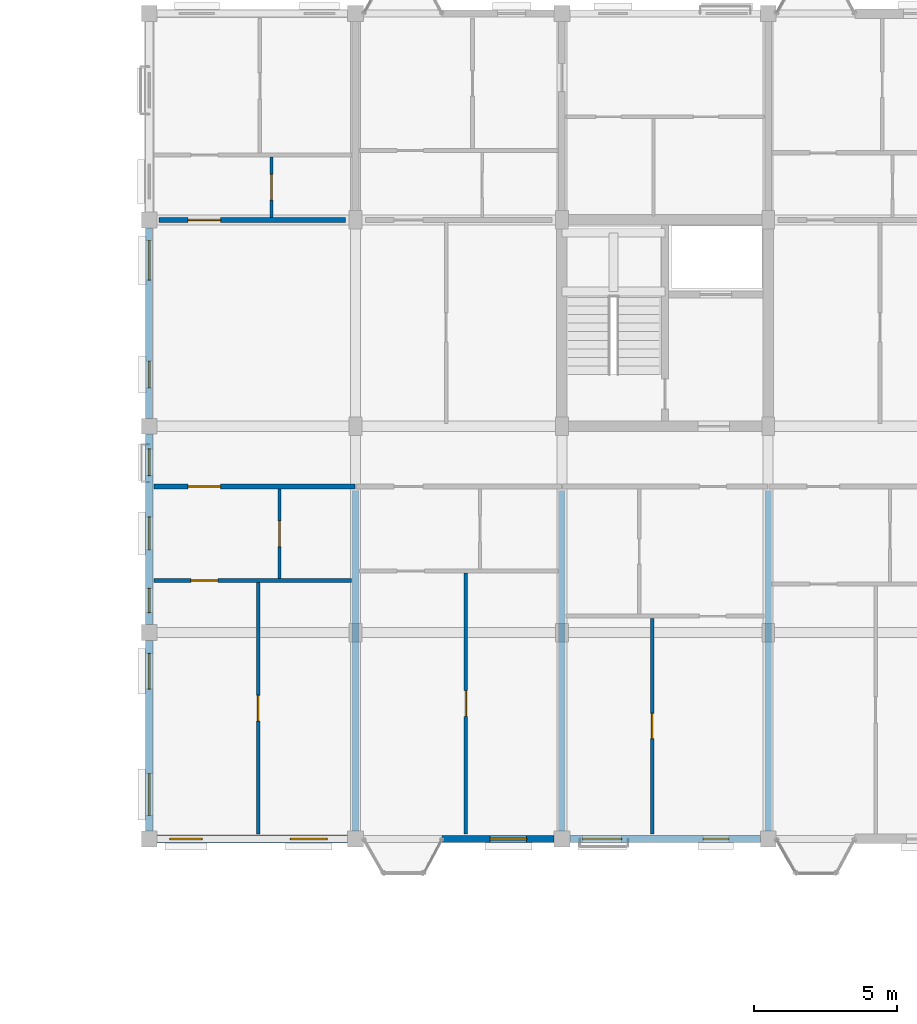
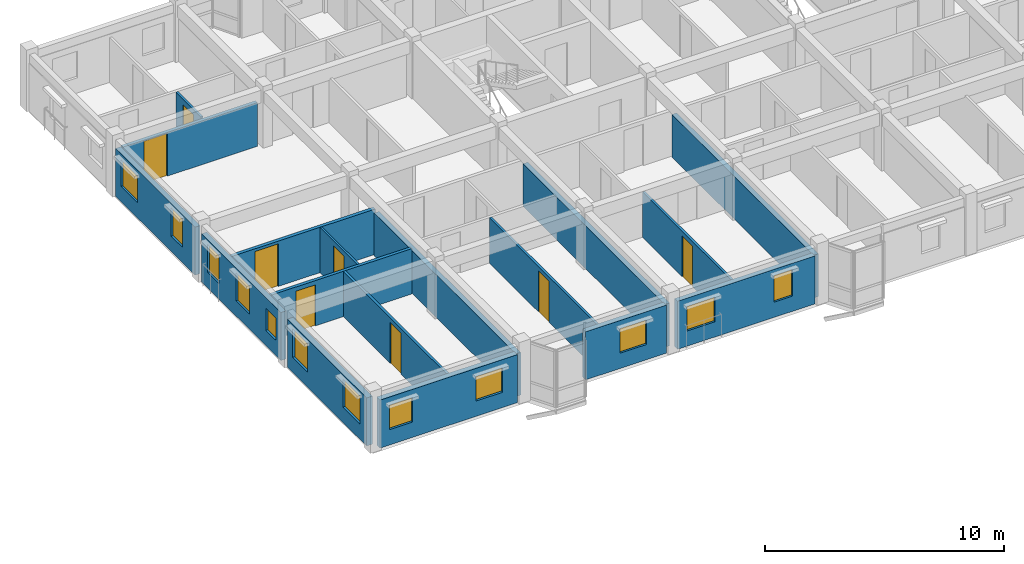
# One storey, part 65 of 79: 17 walls, 12 windows, 8 doors, 20 openings.
"""IFC4 building model written with IfcOpenShell, lengths in metres."""

from ifc_helpers import new_model, si_unit, direction, frame, frame_2d, origin, place, context, subcontext, project, spatial, rectangle, extrude, material, layer, layer_set, type_object, element, fill, save


model = new_model("IFC4")

# Units and contexts
model_context = context("Model", 3, precision=1e-05, world=origin(), true_north=direction((0.0, 1.0)))
body_context = subcontext(model_context, "Body", "Model", "MODEL_VIEW")
ifc_project = project(units=[si_unit("LENGTHUNIT", "METRE"), si_unit("AREAUNIT", "SQUARE_METRE"), si_unit("VOLUMEUNIT", "CUBIC_METRE"), si_unit("PLANEANGLEUNIT", "RADIAN"), si_unit("MASSUNIT", "GRAM", prefix="KILO"), si_unit("THERMODYNAMICTEMPERATUREUNIT", "KELVIN"), si_unit("POWERUNIT", "WATT")], contexts=[model_context])

# Site, building, storey
site_placement = place(None, origin())
site = spatial("IfcSite", under=ifc_project, at=site_placement, CompositionType="ELEMENT")
building_placement = place(site_placement, origin())
building = spatial("IfcBuilding", under=site, at=building_placement, Name="Tavuni Mirador Residences", CompositionType="ELEMENT")
storey_placement = place(building_placement, frame((0.0, 0.0, 13.949951171875)))
storey = spatial("IfcBuildingStorey", under=building, at=storey_placement, Name="L04", CompositionType="ELEMENT", Elevation=13.949951171875)

# Wall, opening, door
ifc_material_1 = material(Name="Precast concrete C40/50", Category="concrete")
ifc_layer_1 = layer(ifc_material_1, 0.1650390625, Name="Precast concrete C40/50", Category="concrete")
ifc_layer_set_1 = layer_set([ifc_layer_1], Name="Precast concrete C40/50")
wall_type_1 = type_object("IfcWallType", Name="WT-CORR165", PredefinedType="PARTITIONING", material=ifc_layer_set_1)
wall_1_placement = place(storey_placement, frame((10.97509765625, 156.300048828125, 0.0), z_axis=(0.0, 0.0, 1.0), x_axis=(1.0, 0.0, 0.0)))
wall_1 = element("IfcWall", 1, at=wall_1_placement, inside=storey, type_object=wall_type_1, Name="CORW-BLK-C-L04-0-00", PredefinedType="PARTITIONING", context=body_context, shape_type="SweptSolid", body=[
    extrude(rectangle(XDim=7.0048828125, YDim=0.1650390625, at=frame_2d((3.50244140625, 0.0))), origin(), (0.0, 0.0, 1.0), 2.320068359375),
])
opening_1_placement = place(wall_1_placement, frame((1.175048828125, 0.0, 0.0)))
opening_1 = element("IfcOpeningElement", 2, at=opening_1_placement, cuts=wall_1, Name="Opening D-20", PredefinedType="OPENING", context=body_context, shape_type="SweptSolid", body=[
    extrude(rectangle(XDim=1.139892578125, YDim=2.179931640625, at=frame_2d((0.56982421875, 1.08984375))), frame((0.0, 0.092529296875, 0.0), z_axis=(0.0, -1.0, 0.0), x_axis=(1.0, 0.0, 0.0)), (0.0, 0.0, 1.0), 0.18505859375),
])
ifc_material_2 = material(Name="Solid core iroko timber", Category="wood")
door_type_1 = type_object("IfcDoorType", Name="DT-FD60-1140", OperationType="NOTDEFINED", PredefinedType="DOOR", material=ifc_material_2)
door_1_placement = place(opening_1_placement, origin())
door_1 = element("IfcDoor", 3, at=door_1_placement, inside=storey, type_object=door_type_1, Name="DR-2675", OperationType="SINGLE_SWING_RIGHT", OverallHeight=2.179931640625, OverallWidth=1.139892578125, PredefinedType="DOOR", context=body_context, shape_type="SweptSolid", body=[
    extrude(rectangle(XDim=1.139892578125, YDim=2.179931640625, at=frame_2d((0.56982421875, 1.08984375))), frame((0.0, 0.02490234375, 0.0), z_axis=(0.0, -1.0, 0.0), x_axis=(1.0, 0.0, 0.0)), (0.0, 0.0, 1.0), 0.050048828125),
])
fill(opening_1, door_1)

wall_2_placement = place(storey_placement, frame((11.14990234375, 165.60009765625, 0.0), z_axis=(0.0, 0.0, 1.0), x_axis=(1.0, 0.0, 0.0)))
wall_2 = element("IfcWall", 4, at=wall_2_placement, inside=storey, type_object=wall_type_1, Name="CORW-BLK-C-L04-1-00", PredefinedType="PARTITIONING", context=body_context, shape_type="SweptSolid", body=[
    extrude(rectangle(XDim=6.5, YDim=0.1650390625, at=frame_2d((3.25, 0.0))), origin(), (0.0, 0.0, 1.0), 2.235107421875),
])
opening_2_placement = place(wall_2_placement, frame((1.0, 0.0, 0.0)))
opening_2 = element("IfcOpeningElement", 5, at=opening_2_placement, cuts=wall_2, Name="Opening D-20", PredefinedType="OPENING", context=body_context, shape_type="SweptSolid", body=[
    extrude(rectangle(XDim=1.139892578125, YDim=2.179931640625, at=frame_2d((0.56982421875, 1.08984375))), frame((0.0, 0.092529296875, 0.0), z_axis=(0.0, -1.0, 0.0), x_axis=(1.0, 0.0, 0.0)), (0.0, 0.0, 1.0), 0.18505859375),
])
door_2_placement = place(opening_2_placement, origin())
door_2 = element("IfcDoor", 6, at=door_2_placement, inside=storey, type_object=door_type_1, Name="DR-2684", OperationType="SINGLE_SWING_LEFT", OverallHeight=2.179931640625, OverallWidth=1.139892578125, PredefinedType="DOOR", context=body_context, shape_type="SweptSolid", body=[
    extrude(rectangle(XDim=1.139892578125, YDim=2.179931640625, at=frame_2d((0.56982421875, 1.08984375))), frame((0.0, 0.02490234375, 0.0), z_axis=(0.0, -1.0, 0.0), x_axis=(1.0, 0.0, 0.0)), (0.0, 0.0, 1.0), 0.050048828125),
])
fill(opening_2, door_2)

# Wall, openings, windows
ifc_material_3 = material(Name="Sgraffito lime-rendered precast concrete C40/50", Category="concrete")
ifc_layer_2 = layer(ifc_material_3, 0.2451171875, Name="Sgraffito lime-rendered precast concrete C40/50", Category="concrete")
ifc_layer_set_2 = layer_set([ifc_layer_2], Name="Sgraffito lime-rendered precast concrete C40/50")
wall_type_2 = type_object("IfcWallType", Name="WT-EXT-PC245", PredefinedType="SOLIDWALL", material=ifc_layer_set_2)
wall_3_placement = place(storey_placement, frame((25.47509765625, 144.0, 0.0), z_axis=(0.0, 0.0, 1.0), x_axis=(1.0, 0.0, 0.0)))
wall_3 = element("IfcWall", 7, at=wall_3_placement, inside=storey, type_object=wall_type_2, Name="EW-BLK-C-L04-S02", PredefinedType="SOLIDWALL", context=body_context, shape_type="SweptSolid", body=[
    extrude(rectangle(XDim=6.64990234375, YDim=0.2451171875, at=frame_2d((3.324951171875, 0.0))), origin(), (0.0, 0.0, 1.0), 2.455078125),
])
opening_3_placement = place(wall_3_placement, frame((0.449951171875, 0.0, 0.780029296875)))
opening_3 = element("IfcOpeningElement", 8, at=opening_3_placement, cuts=wall_3, Name="Opening WN-15", PredefinedType="OPENING", context=body_context, shape_type="SweptSolid", body=[
    extrude(rectangle(XDim=1.360107421875, YDim=1.260009765625, at=frame_2d((0.68017578125, 0.6298828125))), frame((0.0, 0.132568359375, 0.0), z_axis=(0.0, -1.0, 0.0), x_axis=(1.0, 0.0, 0.0)), (0.0, 0.0, 1.0), 0.26513671875),
])
opening_4_placement = place(wall_3_placement, frame((4.64990234375, 0.0, 0.780029296875)))
opening_4 = element("IfcOpeningElement", 9, at=opening_4_placement, cuts=wall_3, Name="Opening WN-17", PredefinedType="OPENING", context=body_context, shape_type="SweptSolid", body=[
    extrude(rectangle(XDim=0.89990234375, YDim=1.360107421875, at=frame_2d((0.449951171875, 0.68017578125))), frame((0.0, 0.132568359375, 0.0), z_axis=(0.0, -1.0, 0.0), x_axis=(1.0, 0.0, 0.0)), (0.0, 0.0, 1.0), 0.26513671875),
])
ifc_material_4 = material(Name="Laminated solar-control glass", Category="glass")
window_type_1 = type_object("IfcWindowType", Name="WNT-15", PartitioningType="SINGLE_PANEL", PredefinedType="WINDOW", material=ifc_material_4)
window_1_placement = place(opening_3_placement, origin())
window_1 = element("IfcWindow", 10, at=window_1_placement, inside=storey, type_object=window_type_1, Name="WIN-1000", OverallHeight=1.260009765625, OverallWidth=1.360107421875, PartitioningType="SINGLE_PANEL", PredefinedType="WINDOW", context=body_context, shape_type="SweptSolid", body=[
    extrude(rectangle(XDim=1.360107421875, YDim=1.260009765625, at=frame_2d((0.68017578125, 0.6298828125))), frame((0.0, 0.030029296875, 0.0), z_axis=(0.0, -1.0, 0.0), x_axis=(1.0, 0.0, 0.0)), (0.0, 0.0, 1.0), 0.06005859375),
])
fill(opening_3, window_1)
window_type_2 = type_object("IfcWindowType", Name="WNT-17", PartitioningType="SINGLE_PANEL", PredefinedType="WINDOW", material=ifc_material_4)
window_2_placement = place(opening_4_placement, origin())
window_2 = element("IfcWindow", 11, at=window_2_placement, inside=storey, type_object=window_type_2, Name="WIN-1001", OverallHeight=1.360107421875, OverallWidth=0.89990234375, PartitioningType="SINGLE_PANEL", PredefinedType="WINDOW", context=body_context, shape_type="SweptSolid", body=[
    extrude(rectangle(XDim=0.89990234375, YDim=1.360107421875, at=frame_2d((0.449951171875, 0.68017578125))), frame((0.0, 0.030029296875, 0.0), z_axis=(0.0, -1.0, 0.0), x_axis=(1.0, 0.0, 0.0)), (0.0, 0.0, 1.0), 0.06005859375),
])
fill(opening_4, window_2)

wall_4_placement = place(storey_placement, frame((10.800048828125, 165.324951171875, 0.0), z_axis=(0.0, 0.0, 1.0), x_axis=(0.0, -1.0, 0.0)))
wall_4 = element("IfcWall", 12, at=wall_4_placement, inside=storey, type_object=wall_type_2, Name="EW-BLK-C-L04-W02", PredefinedType="SOLIDWALL", context=body_context, shape_type="SweptSolid", body=[
    extrude(rectangle(XDim=6.64990234375, YDim=0.2451171875, at=frame_2d((3.324951171875, 0.0))), origin(), (0.0, 0.0, 1.0), 2.455078125),
])
opening_5_placement = place(wall_4_placement, frame((0.449951171875, 0.0, 0.780029296875)))
opening_5 = element("IfcOpeningElement", 13, at=opening_5_placement, cuts=wall_4, Name="Opening WN-23", PredefinedType="OPENING", context=body_context, shape_type="SweptSolid", body=[
    extrude(rectangle(XDim=1.3798828125, YDim=1.360107421875, at=frame_2d((0.68994140625, 0.68017578125))), frame((0.0, 0.132568359375, 0.0), z_axis=(0.0, -1.0, 0.0), x_axis=(1.0, 0.0, 0.0)), (0.0, 0.0, 1.0), 0.26513671875),
])
opening_6_placement = place(wall_4_placement, frame((4.64990234375, 0.0, 0.780029296875)))
opening_6 = element("IfcOpeningElement", 14, at=opening_6_placement, cuts=wall_4, Name="Opening WN-25", PredefinedType="OPENING", context=body_context, shape_type="SweptSolid", body=[
    extrude(rectangle(XDim=0.93994140625, YDim=1.43994140625, at=frame_2d((0.469970703125, 0.719970703125))), frame((0.0, 0.132568359375, 0.0), z_axis=(0.0, -1.0, 0.0), x_axis=(1.0, 0.0, 0.0)), (0.0, 0.0, 1.0), 0.26513671875),
])
window_type_3 = type_object("IfcWindowType", Name="WNT-23", PartitioningType="SINGLE_PANEL", PredefinedType="WINDOW", material=ifc_material_4)
window_3_placement = place(opening_5_placement, origin())
window_3 = element("IfcWindow", 15, at=window_3_placement, inside=storey, type_object=window_type_3, Name="WIN-1038", OverallHeight=1.360107421875, OverallWidth=1.3798828125, PartitioningType="SINGLE_PANEL", PredefinedType="WINDOW", context=body_context, shape_type="SweptSolid", body=[
    extrude(rectangle(XDim=1.3798828125, YDim=1.360107421875, at=frame_2d((0.68994140625, 0.68017578125))), frame((0.0, 0.030029296875, 0.0), z_axis=(0.0, -1.0, 0.0), x_axis=(1.0, 0.0, 0.0)), (0.0, 0.0, 1.0), 0.06005859375),
])
fill(opening_5, window_3)
window_type_4 = type_object("IfcWindowType", Name="WNT-25", PartitioningType="SINGLE_PANEL", PredefinedType="WINDOW", material=ifc_material_4)
window_4_placement = place(opening_6_placement, origin())
window_4 = element("IfcWindow", 16, at=window_4_placement, inside=storey, type_object=window_type_4, Name="WIN-1039", OverallHeight=1.43994140625, OverallWidth=0.93994140625, PartitioningType="SINGLE_PANEL", PredefinedType="WINDOW", context=body_context, shape_type="SweptSolid", body=[
    extrude(rectangle(XDim=0.93994140625, YDim=1.43994140625, at=frame_2d((0.469970703125, 0.719970703125))), frame((0.0, 0.030029296875, 0.0), z_axis=(0.0, -1.0, 0.0), x_axis=(1.0, 0.0, 0.0)), (0.0, 0.0, 1.0), 0.06005859375),
])
fill(opening_6, window_4)

# Wall, opening, window
ifc_layer_3 = layer(ifc_material_3, 0.2548828125, Name="Sgraffito lime-rendered precast concrete C40/50", Category="concrete")
ifc_layer_set_3 = layer_set([ifc_layer_3], Name="Sgraffito lime-rendered precast concrete C40/50")
wall_type_3 = type_object("IfcWallType", Name="WT-EXT-PC255", PredefinedType="SOLIDWALL", material=ifc_layer_set_3)
wall_5_placement = place(storey_placement, frame((21.02001953125, 144.0, 0.0), z_axis=(0.0, 0.0, 1.0), x_axis=(1.0, 0.0, 0.0)))
wall_5 = element("IfcWall", 17, at=wall_5_placement, inside=storey, type_object=wall_type_3, Name="EW-BLK-C-L04-S01", PredefinedType="SOLIDWALL", context=body_context, shape_type="SweptSolid", body=[
    extrude(rectangle(XDim=3.905029296875, YDim=0.2548828125, at=frame_2d((1.95263671875, 0.0))), origin(), (0.0, 0.0, 1.0), 2.455078125),
])
opening_7_placement = place(wall_5_placement, frame((1.672607421875, 0.0, 0.780029296875)))
opening_7 = element("IfcOpeningElement", 18, at=opening_7_placement, cuts=wall_5, Name="Opening WN-14", PredefinedType="OPENING", context=body_context, shape_type="SweptSolid", body=[
    extrude(rectangle(XDim=1.280029296875, YDim=1.260009765625, at=frame_2d((0.64013671875, 0.6298828125))), frame((0.0, 0.137451171875, 0.0), z_axis=(0.0, -1.0, 0.0), x_axis=(1.0, 0.0, 0.0)), (0.0, 0.0, 1.0), 0.27490234375),
])
window_type_5 = type_object("IfcWindowType", Name="WNT-14", PartitioningType="SINGLE_PANEL", PredefinedType="WINDOW", material=ifc_material_4)
window_5_placement = place(opening_7_placement, origin())
window_5 = element("IfcWindow", 19, at=window_5_placement, inside=storey, type_object=window_type_5, Name="WIN-0999", OverallHeight=1.260009765625, OverallWidth=1.280029296875, PartitioningType="SINGLE_PANEL", PredefinedType="WINDOW", context=body_context, shape_type="SweptSolid", body=[
    extrude(rectangle(XDim=1.280029296875, YDim=1.260009765625, at=frame_2d((0.64013671875, 0.6298828125))), frame((0.0, 0.030029296875, 0.0), z_axis=(0.0, -1.0, 0.0), x_axis=(1.0, 0.0, 0.0)), (0.0, 0.0, 1.0), 0.06005859375),
])
fill(opening_7, window_5)

# Wall, openings, windows
wall_6_placement = place(storey_placement, frame((10.800048828125, 158.125, 0.0), z_axis=(0.0, 0.0, 1.0), x_axis=(0.0, -1.0, 0.0)))
wall_6 = element("IfcWall", 20, at=wall_6_placement, inside=storey, type_object=wall_type_3, Name="EW-BLK-C-L04-W01", PredefinedType="SOLIDWALL", context=body_context, shape_type="SweptSolid", body=[
    extrude(rectangle(XDim=6.64990234375, YDim=0.2548828125, at=frame_2d((3.324951171875, 0.0))), origin(), (0.0, 0.0, 1.0), 2.455078125),
])
opening_8_placement = place(wall_6_placement, frame((0.512451171875, 0.0, 0.780029296875)))
opening_8 = element("IfcOpeningElement", 21, at=opening_8_placement, cuts=wall_6, Name="Opening WN-25", PredefinedType="OPENING", context=body_context, shape_type="SweptSolid", body=[
    extrude(rectangle(XDim=0.93994140625, YDim=1.43994140625, at=frame_2d((0.469970703125, 0.719970703125))), frame((0.0, 0.137451171875, 0.0), z_axis=(0.0, -1.0, 0.0), x_axis=(1.0, 0.0, 0.0)), (0.0, 0.0, 1.0), 0.27490234375),
])
opening_9_placement = place(wall_6_placement, frame((2.889892578125, 0.0, 0.780029296875)))
opening_9 = element("IfcOpeningElement", 22, at=opening_9_placement, cuts=wall_6, Name="Opening WN-27", PredefinedType="OPENING", context=body_context, shape_type="SweptSolid", body=[
    extrude(rectangle(XDim=1.14990234375, YDim=1.43994140625, at=frame_2d((0.574951171875, 0.719970703125))), frame((0.0, 0.137451171875, 0.0), z_axis=(0.0, -1.0, 0.0), x_axis=(1.0, 0.0, 0.0)), (0.0, 0.0, 1.0), 0.27490234375),
])
opening_10_placement = place(wall_6_placement, frame((5.382568359375, 0.0, 0.780029296875)))
opening_10 = element("IfcOpeningElement", 23, at=opening_10_placement, cuts=wall_6, Name="Opening WN-01", PredefinedType="OPENING", context=body_context, shape_type="SweptSolid", body=[
    extrude(rectangle(XDim=0.85009765625, YDim=1.14990234375, at=frame_2d((0.425048828125, 0.574951171875))), frame((0.0, 0.137451171875, 0.0), z_axis=(0.0, -1.0, 0.0), x_axis=(1.0, 0.0, 0.0)), (0.0, 0.0, 1.0), 0.27490234375),
])
window_type_6 = type_object("IfcWindowType", Name="WNT-01", PartitioningType="SINGLE_PANEL", PredefinedType="WINDOW", material=ifc_material_4)
window_6_placement = place(opening_10_placement, origin())
window_6 = element("IfcWindow", 24, at=window_6_placement, inside=storey, type_object=window_type_6, Name="WIN-1042", OverallHeight=1.14990234375, OverallWidth=0.85009765625, PartitioningType="SINGLE_PANEL", PredefinedType="WINDOW", context=body_context, shape_type="SweptSolid", body=[
    extrude(rectangle(XDim=0.85009765625, YDim=1.14990234375, at=frame_2d((0.425048828125, 0.574951171875))), frame((0.0, 0.030029296875, 0.0), z_axis=(0.0, -1.0, 0.0), x_axis=(1.0, 0.0, 0.0)), (0.0, 0.0, 1.0), 0.06005859375),
])
fill(opening_10, window_6)
window_7_placement = place(opening_8_placement, origin())
window_7 = element("IfcWindow", 25, at=window_7_placement, inside=storey, type_object=window_type_4, Name="WIN-1040", OverallHeight=1.43994140625, OverallWidth=0.93994140625, PartitioningType="SINGLE_PANEL", PredefinedType="WINDOW", context=body_context, shape_type="SweptSolid", body=[
    extrude(rectangle(XDim=0.93994140625, YDim=1.43994140625, at=frame_2d((0.469970703125, 0.719970703125))), frame((0.0, 0.030029296875, 0.0), z_axis=(0.0, -1.0, 0.0), x_axis=(1.0, 0.0, 0.0)), (0.0, 0.0, 1.0), 0.06005859375),
])
fill(opening_8, window_7)
window_type_7 = type_object("IfcWindowType", Name="WNT-27", PartitioningType="SINGLE_PANEL", PredefinedType="WINDOW", material=ifc_material_4)
window_8_placement = place(opening_9_placement, origin())
window_8 = element("IfcWindow", 26, at=window_8_placement, inside=storey, type_object=window_type_7, Name="WIN-1041", OverallHeight=1.43994140625, OverallWidth=1.14990234375, PartitioningType="SINGLE_PANEL", PredefinedType="WINDOW", context=body_context, shape_type="SweptSolid", body=[
    extrude(rectangle(XDim=1.14990234375, YDim=1.43994140625, at=frame_2d((0.574951171875, 0.719970703125))), frame((0.0, 0.030029296875, 0.0), z_axis=(0.0, -1.0, 0.0), x_axis=(1.0, 0.0, 0.0)), (0.0, 0.0, 1.0), 0.06005859375),
])
fill(opening_9, window_8)

ifc_layer_4 = layer(ifc_material_3, 0.27490234375, Name="Sgraffito lime-rendered precast concrete C40/50", Category="concrete")
ifc_layer_set_4 = layer_set([ifc_layer_4], Name="Sgraffito lime-rendered precast concrete C40/50")
wall_type_4 = type_object("IfcWallType", Name="WT-EXT-PC275", PredefinedType="SOLIDWALL", material=ifc_layer_set_4)
wall_7_placement = place(storey_placement, frame((11.074951171875, 144.0, 0.0), z_axis=(0.0, 0.0, 1.0), x_axis=(1.0, 0.0, 0.0)))
wall_7 = element("IfcWall", 27, at=wall_7_placement, inside=storey, type_object=wall_type_4, Name="EW-BLK-C-L04-S00", PredefinedType="SOLIDWALL", context=body_context, shape_type="SweptSolid", body=[
    extrude(rectangle(XDim=6.650146484375, YDim=0.27490234375, at=frame_2d((3.3251953125, 0.0))), origin(), (0.0, 0.0, 1.0), 2.455078125),
])
opening_11_placement = place(wall_7_placement, frame((0.449951171875, 0.0, 0.780029296875)))
opening_11 = element("IfcOpeningElement", 28, at=opening_11_placement, cuts=wall_7, Name="Opening WN-12", PredefinedType="OPENING", context=body_context, shape_type="SweptSolid", body=[
    extrude(rectangle(XDim=1.1201171875, YDim=1.260009765625, at=frame_2d((0.56005859375, 0.6298828125))), frame((0.0, 0.1474609375, 0.0), z_axis=(0.0, -1.0, 0.0), x_axis=(1.0, 0.0, 0.0)), (0.0, 0.0, 1.0), 0.294921875),
])
opening_12_placement = place(wall_7_placement, frame((4.64990234375, 0.0, 0.780029296875)))
opening_12 = element("IfcOpeningElement", 29, at=opening_12_placement, cuts=wall_7, Name="Opening WN-14", PredefinedType="OPENING", context=body_context, shape_type="SweptSolid", body=[
    extrude(rectangle(XDim=1.280029296875, YDim=1.260009765625, at=frame_2d((0.64013671875, 0.6298828125))), frame((0.0, 0.1474609375, 0.0), z_axis=(0.0, -1.0, 0.0), x_axis=(1.0, 0.0, 0.0)), (0.0, 0.0, 1.0), 0.294921875),
])
window_type_8 = type_object("IfcWindowType", Name="WNT-12", PartitioningType="SINGLE_PANEL", PredefinedType="WINDOW", material=ifc_material_4)
window_9_placement = place(opening_11_placement, origin())
window_9 = element("IfcWindow", 30, at=window_9_placement, inside=storey, type_object=window_type_8, Name="WIN-0997", OverallHeight=1.260009765625, OverallWidth=1.1201171875, PartitioningType="SINGLE_PANEL", PredefinedType="WINDOW", context=body_context, shape_type="SweptSolid", body=[
    extrude(rectangle(XDim=1.1201171875, YDim=1.260009765625, at=frame_2d((0.56005859375, 0.6298828125))), frame((0.0, 0.030029296875, 0.0), z_axis=(0.0, -1.0, 0.0), x_axis=(1.0, 0.0, 0.0)), (0.0, 0.0, 1.0), 0.06005859375),
])
fill(opening_11, window_9)
window_10_placement = place(opening_12_placement, origin())
window_10 = element("IfcWindow", 31, at=window_10_placement, inside=storey, type_object=window_type_5, Name="WIN-0998", OverallHeight=1.260009765625, OverallWidth=1.280029296875, PartitioningType="SINGLE_PANEL", PredefinedType="WINDOW", context=body_context, shape_type="SweptSolid", body=[
    extrude(rectangle(XDim=1.280029296875, YDim=1.260009765625, at=frame_2d((0.64013671875, 0.6298828125))), frame((0.0, 0.030029296875, 0.0), z_axis=(0.0, -1.0, 0.0), x_axis=(1.0, 0.0, 0.0)), (0.0, 0.0, 1.0), 0.06005859375),
])
fill(opening_12, window_10)

wall_8_placement = place(storey_placement, frame((10.800048828125, 150.925048828125, 0.0), z_axis=(0.0, 0.0, 1.0), x_axis=(0.0, -1.0, 0.0)))
wall_8 = element("IfcWall", 32, at=wall_8_placement, inside=storey, type_object=wall_type_4, Name="EW-BLK-C-L04-W00", PredefinedType="SOLIDWALL", context=body_context, shape_type="SweptSolid", body=[
    extrude(rectangle(XDim=6.650146484375, YDim=0.27490234375, at=frame_2d((3.3251953125, 0.0))), origin(), (0.0, 0.0, 1.0), 2.455078125),
])
opening_13_placement = place(wall_8_placement, frame((0.449951171875, 0.0, 0.780029296875)))
opening_13 = element("IfcOpeningElement", 33, at=opening_13_placement, cuts=wall_8, Name="Opening WN-28", PredefinedType="OPENING", context=body_context, shape_type="SweptSolid", body=[
    extrude(rectangle(XDim=1.25, YDim=1.43994140625, at=frame_2d((0.625, 0.719970703125))), frame((0.0, 0.1474609375, 0.0), z_axis=(0.0, -1.0, 0.0), x_axis=(1.0, 0.0, 0.0)), (0.0, 0.0, 1.0), 0.294921875),
])
opening_14_placement = place(wall_8_placement, frame((4.64990234375, 0.0, 0.780029296875)))
opening_14 = element("IfcOpeningElement", 34, at=opening_14_placement, cuts=wall_8, Name="Opening WN-30", PredefinedType="OPENING", context=body_context, shape_type="SweptSolid", body=[
    extrude(rectangle(XDim=1.449951171875, YDim=1.43994140625, at=frame_2d((0.72509765625, 0.719970703125))), frame((0.0, 0.1474609375, 0.0), z_axis=(0.0, -1.0, 0.0), x_axis=(1.0, 0.0, 0.0)), (0.0, 0.0, 1.0), 0.294921875),
])
window_type_9 = type_object("IfcWindowType", Name="WNT-28", PartitioningType="SINGLE_PANEL", PredefinedType="WINDOW", material=ifc_material_4)
window_11_placement = place(opening_13_placement, origin())
window_11 = element("IfcWindow", 35, at=window_11_placement, inside=storey, type_object=window_type_9, Name="WIN-1043", OverallHeight=1.43994140625, OverallWidth=1.25, PartitioningType="SINGLE_PANEL", PredefinedType="WINDOW", context=body_context, shape_type="SweptSolid", body=[
    extrude(rectangle(XDim=1.25, YDim=1.43994140625, at=frame_2d((0.625, 0.719970703125))), frame((0.0, 0.030029296875, 0.0), z_axis=(0.0, -1.0, 0.0), x_axis=(1.0, 0.0, 0.0)), (0.0, 0.0, 1.0), 0.06005859375),
])
fill(opening_13, window_11)
window_type_10 = type_object("IfcWindowType", Name="WNT-30", PartitioningType="SINGLE_PANEL", PredefinedType="WINDOW", material=ifc_material_4)
window_12_placement = place(opening_14_placement, origin())
window_12 = element("IfcWindow", 36, at=window_12_placement, inside=storey, type_object=window_type_10, Name="WIN-1044", OverallHeight=1.43994140625, OverallWidth=1.449951171875, PartitioningType="SINGLE_PANEL", PredefinedType="WINDOW", context=body_context, shape_type="SweptSolid", body=[
    extrude(rectangle(XDim=1.449951171875, YDim=1.43994140625, at=frame_2d((0.72509765625, 0.719970703125))), frame((0.0, 0.030029296875, 0.0), z_axis=(0.0, -1.0, 0.0), x_axis=(1.0, 0.0, 0.0)), (0.0, 0.0, 1.0), 0.06005859375),
])
fill(opening_14, window_12)

# Wall, opening, door
ifc_material_5 = material(Name="Acoustic gypsum and concrete block partition", Category="concrete")
ifc_layer_5 = layer(ifc_material_5, 0.094970703125, Name="Acoustic gypsum and concrete block partition", Category="concrete")
ifc_layer_set_5 = layer_set([ifc_layer_5], Name="Acoustic gypsum and concrete block partition")
wall_type_5 = type_object("IfcWallType", Name="WT-PART095", PredefinedType="PARTITIONING", material=ifc_layer_set_5)
wall_9_placement = place(storey_placement, frame((15.35009765625, 153.090087890625, 0.0), z_axis=(0.0, 0.0, 1.0), x_axis=(0.0, 1.0, 0.0)))
wall_9 = element("IfcWall", 37, at=wall_9_placement, inside=storey, type_object=wall_type_5, Name="PW-BLK-C-L04-S00-IN1", PredefinedType="PARTITIONING", context=body_context, shape_type="SweptSolid", body=[
    extrude(rectangle(XDim=3.119873046875, YDim=0.094970703125, at=frame_2d((1.56005859375, 0.0))), origin(), (0.0, 0.0, 1.0), 2.320068359375),
])
opening_15_placement = place(wall_9_placement, frame((1.110107421875, 0.0, 0.0)))
opening_15 = element("IfcOpeningElement", 38, at=opening_15_placement, cuts=wall_9, Name="Opening D-09", PredefinedType="OPENING", context=body_context, shape_type="SweptSolid", body=[
    extrude(rectangle(XDim=0.89990234375, YDim=2.050048828125, at=frame_2d((0.449951171875, 1.02490234375))), frame((0.0, 0.0576171875, 0.0), z_axis=(0.0, -1.0, 0.0), x_axis=(1.0, 0.0, 0.0)), (0.0, 0.0, 1.0), 0.114990234375),
])
door_type_2 = type_object("IfcDoorType", Name="DT-WC900", OperationType="NOTDEFINED", PredefinedType="DOOR", material=ifc_material_2)
door_3_placement = place(opening_15_placement, origin())
door_3 = element("IfcDoor", 39, at=door_3_placement, inside=storey, type_object=door_type_2, Name="DR-3851", OperationType="SINGLE_SWING_LEFT", OverallHeight=2.050048828125, OverallWidth=0.89990234375, PredefinedType="DOOR", context=body_context, shape_type="SweptSolid", body=[
    extrude(rectangle(XDim=0.89990234375, YDim=2.050048828125, at=frame_2d((0.449951171875, 1.02490234375))), frame((0.0, 0.02490234375, 0.0), z_axis=(0.0, -1.0, 0.0), x_axis=(1.0, 0.0, 0.0)), (0.0, 0.0, 1.0), 0.050048828125),
])
fill(opening_15, door_3)

ifc_layer_6 = layer(ifc_material_5, 0.10498046875, Name="Acoustic gypsum and concrete block partition", Category="concrete")
ifc_layer_set_6 = layer_set([ifc_layer_6], Name="Acoustic gypsum and concrete block partition")
wall_type_6 = type_object("IfcWallType", Name="WT-PART105", PredefinedType="PARTITIONING", material=ifc_layer_set_6)
wall_10_placement = place(storey_placement, frame((15.06005859375, 165.68994140625, 0.0), z_axis=(0.0, 0.0, 1.0), x_axis=(0.0, 1.0, 0.0)))
wall_10 = element("IfcWall", 40, at=wall_10_placement, inside=storey, type_object=wall_type_6, Name="PW-BLK-C-L04-N00-IN1", PredefinedType="PARTITIONING", context=body_context, shape_type="SweptSolid", body=[
    extrude(rectangle(XDim=2.10009765625, YDim=0.10498046875, at=frame_2d((1.050048828125, 0.0))), origin(), (0.0, 0.0, 1.0), 2.320068359375),
])
opening_16_placement = place(wall_10_placement, frame((0.60009765625, 0.0, 0.0)))
opening_16 = element("IfcOpeningElement", 41, at=opening_16_placement, cuts=wall_10, Name="Opening D-09", PredefinedType="OPENING", context=body_context, shape_type="SweptSolid", body=[
    extrude(rectangle(XDim=0.89990234375, YDim=2.050048828125, at=frame_2d((0.449951171875, 1.02490234375))), frame((0.0, 0.0625, 0.0), z_axis=(0.0, -1.0, 0.0), x_axis=(1.0, 0.0, 0.0)), (0.0, 0.0, 1.0), 0.125),
])
door_4_placement = place(opening_16_placement, origin())
door_4 = element("IfcDoor", 42, at=door_4_placement, inside=storey, type_object=door_type_2, Name="DR-3854", OperationType="SINGLE_SWING_LEFT", OverallHeight=2.050048828125, OverallWidth=0.89990234375, PredefinedType="DOOR", context=body_context, shape_type="SweptSolid", body=[
    extrude(rectangle(XDim=0.89990234375, YDim=2.050048828125, at=frame_2d((0.449951171875, 1.02490234375))), frame((0.0, 0.02490234375, 0.0), z_axis=(0.0, -1.0, 0.0), x_axis=(1.0, 0.0, 0.0)), (0.0, 0.0, 1.0), 0.050048828125),
])
fill(opening_16, door_4)

ifc_layer_7 = layer(ifc_material_5, 0.114990234375, Name="Acoustic gypsum and concrete block partition", Category="concrete")
ifc_layer_set_7 = layer_set([ifc_layer_7], Name="Acoustic gypsum and concrete block partition")
wall_type_7 = type_object("IfcWallType", Name="WT-PART115", PredefinedType="PARTITIONING", material=ifc_layer_set_7)
wall_11_placement = place(storey_placement, frame((21.85009765625, 144.175048828125, 0.0), z_axis=(0.0, 0.0, 1.0), x_axis=(0.0, 1.0, 0.0)))
wall_11 = element("IfcWall", 43, at=wall_11_placement, inside=storey, type_object=wall_type_7, Name="PW-BLK-C-L04-S01-OUT", PredefinedType="PARTITIONING", context=body_context, shape_type="SweptSolid", body=[
    extrude(rectangle(XDim=9.10498046875, YDim=0.114990234375, at=frame_2d((4.552490234375, 0.0))), origin(), (0.0, 0.0, 1.0), 2.320068359375),
])
opening_17_placement = place(wall_11_placement, frame((4.1025390625, 0.0, 0.0)))
opening_17 = element("IfcOpeningElement", 44, at=opening_17_placement, cuts=wall_11, Name="Opening D-07", PredefinedType="OPENING", context=body_context, shape_type="SweptSolid", body=[
    extrude(rectangle(XDim=0.89990234375, YDim=2.10009765625, at=frame_2d((0.449951171875, 1.050048828125))), frame((0.0, 0.0673828125, 0.0), z_axis=(0.0, -1.0, 0.0), x_axis=(1.0, 0.0, 0.0)), (0.0, 0.0, 1.0), 0.135009765625),
])
door_type_3 = type_object("IfcDoorType", Name="DT-BED900", OperationType="NOTDEFINED", PredefinedType="DOOR", material=ifc_material_2)
door_5_placement = place(opening_17_placement, origin())
door_5 = element("IfcDoor", 45, at=door_5_placement, inside=storey, type_object=door_type_3, Name="DR-3857", OperationType="SINGLE_SWING_RIGHT", OverallHeight=2.10009765625, OverallWidth=0.89990234375, PredefinedType="DOOR", context=body_context, shape_type="SweptSolid", body=[
    extrude(rectangle(XDim=0.89990234375, YDim=2.10009765625, at=frame_2d((0.449951171875, 1.050048828125))), frame((0.0, 0.02490234375, 0.0), z_axis=(0.0, -1.0, 0.0), x_axis=(1.0, 0.0, 0.0)), (0.0, 0.0, 1.0), 0.050048828125),
])
fill(opening_17, door_5)

wall_12_placement = place(storey_placement, frame((28.35009765625, 144.175048828125, 0.0), z_axis=(0.0, 0.0, 1.0), x_axis=(0.0, 1.0, 0.0)))
wall_12 = element("IfcWall", 46, at=wall_12_placement, inside=storey, type_object=wall_type_7, Name="PW-BLK-C-L04-S02-OUT", PredefinedType="PARTITIONING", context=body_context, shape_type="SweptSolid", body=[
    extrude(rectangle(XDim=7.52490234375, YDim=0.114990234375, at=frame_2d((3.762451171875, 0.0))), origin(), (0.0, 0.0, 1.0), 2.320068359375),
])
opening_18_placement = place(wall_12_placement, frame((3.322509765625, 0.0, 0.0)))
opening_18 = element("IfcOpeningElement", 47, at=opening_18_placement, cuts=wall_12, Name="Opening D-08", PredefinedType="OPENING", context=body_context, shape_type="SweptSolid", body=[
    extrude(rectangle(XDim=0.8798828125, YDim=2.080078125, at=frame_2d((0.43994140625, 1.0400390625))), frame((0.0, 0.0673828125, 0.0), z_axis=(0.0, -1.0, 0.0), x_axis=(1.0, 0.0, 0.0)), (0.0, 0.0, 1.0), 0.135009765625),
])
door_type_4 = type_object("IfcDoorType", Name="DT-BED880", OperationType="NOTDEFINED", PredefinedType="DOOR", material=ifc_material_2)
door_6_placement = place(opening_18_placement, origin())
door_6 = element("IfcDoor", 48, at=door_6_placement, inside=storey, type_object=door_type_4, Name="DR-3863", OperationType="SINGLE_SWING_LEFT", OverallHeight=2.080078125, OverallWidth=0.8798828125, PredefinedType="DOOR", context=body_context, shape_type="SweptSolid", body=[
    extrude(rectangle(XDim=0.8798828125, YDim=2.080078125, at=frame_2d((0.43994140625, 1.0400390625))), frame((0.0, 0.02490234375, 0.0), z_axis=(0.0, -1.0, 0.0), x_axis=(1.0, 0.0, 0.0)), (0.0, 0.0, 1.0), 0.050048828125),
])
fill(opening_18, door_6)

ifc_layer_8 = layer(ifc_material_5, 0.125, Name="Acoustic gypsum and concrete block partition", Category="concrete")
ifc_layer_set_8 = layer_set([ifc_layer_8], Name="Acoustic gypsum and concrete block partition")
wall_type_8 = type_object("IfcWallType", Name="WT-PART125", PredefinedType="PARTITIONING", material=ifc_layer_set_8)
wall_13_placement = place(storey_placement, frame((14.60009765625, 144.175048828125, 0.0), z_axis=(0.0, 0.0, 1.0), x_axis=(0.0, 1.0, 0.0)))
wall_13 = element("IfcWall", 49, at=wall_13_placement, inside=storey, type_object=wall_type_8, Name="PW-BLK-C-L04-S00-OUT", PredefinedType="PARTITIONING", context=body_context, shape_type="SweptSolid", body=[
    extrude(rectangle(XDim=8.77490234375, YDim=0.125, at=frame_2d((4.387451171875, 0.0))), origin(), (0.0, 0.0, 1.0), 2.320068359375),
])
opening_19_placement = place(wall_13_placement, frame((3.9375, 0.0, 0.0)))
opening_19 = element("IfcOpeningElement", 50, at=opening_19_placement, cuts=wall_13, Name="Opening D-07", PredefinedType="OPENING", context=body_context, shape_type="SweptSolid", body=[
    extrude(rectangle(XDim=0.89990234375, YDim=2.10009765625, at=frame_2d((0.449951171875, 1.050048828125))), frame((0.0, 0.072509765625, 0.0), z_axis=(0.0, -1.0, 0.0), x_axis=(1.0, 0.0, 0.0)), (0.0, 0.0, 1.0), 0.14501953125),
])
door_7_placement = place(opening_19_placement, origin())
door_7 = element("IfcDoor", 51, at=door_7_placement, inside=storey, type_object=door_type_3, Name="DR-3850", OperationType="SINGLE_SWING_RIGHT", OverallHeight=2.10009765625, OverallWidth=0.89990234375, PredefinedType="DOOR", context=body_context, shape_type="SweptSolid", body=[
    extrude(rectangle(XDim=0.89990234375, YDim=2.10009765625, at=frame_2d((0.449951171875, 1.050048828125))), frame((0.0, 0.02490234375, 0.0), z_axis=(0.0, -1.0, 0.0), x_axis=(1.0, 0.0, 0.0)), (0.0, 0.0, 1.0), 0.050048828125),
])
fill(opening_19, door_7)

ifc_layer_9 = layer(ifc_material_5, 0.14990234375, Name="Acoustic gypsum and concrete block partition", Category="concrete")
ifc_layer_set_9 = layer_set([ifc_layer_9], Name="Acoustic gypsum and concrete block partition")
wall_type_9 = type_object("IfcWallType", Name="WT-PART150", PredefinedType="PARTITIONING", material=ifc_layer_set_9)
wall_14_placement = place(storey_placement, frame((10.97509765625, 153.02001953125, 0.0), z_axis=(0.0, 0.0, 1.0), x_axis=(1.0, 0.0, 0.0)))
wall_14 = element("IfcWall", 52, at=wall_14_placement, inside=storey, type_object=wall_type_9, Name="PW-BLK-C-L04-S00-MID", PredefinedType="PARTITIONING", context=body_context, shape_type="SweptSolid", body=[
    extrude(rectangle(XDim=6.885009765625, YDim=0.14990234375, at=frame_2d((3.4423828125, 0.0))), origin(), (0.0, 0.0, 1.0), 2.320068359375),
])
opening_20_placement = place(wall_14_placement, frame((1.27490234375, 0.0, 0.0)))
opening_20 = element("IfcOpeningElement", 53, at=opening_20_placement, cuts=wall_14, Name="Opening D-05", PredefinedType="OPENING", context=body_context, shape_type="SweptSolid", body=[
    extrude(rectangle(XDim=0.949951171875, YDim=2.10009765625, at=frame_2d((0.47509765625, 1.050048828125))), frame((0.0, 0.0849609375, 0.0), z_axis=(0.0, -1.0, 0.0), x_axis=(1.0, 0.0, 0.0)), (0.0, 0.0, 1.0), 0.169921875),
])
door_type_5 = type_object("IfcDoorType", Name="DT-INT950", OperationType="NOTDEFINED", PredefinedType="DOOR", material=ifc_material_2)
door_8_placement = place(opening_20_placement, origin())
door_8 = element("IfcDoor", 54, at=door_8_placement, inside=storey, type_object=door_type_5, Name="DR-3852", OperationType="SINGLE_SWING_LEFT", OverallHeight=2.10009765625, OverallWidth=0.949951171875, PredefinedType="DOOR", context=body_context, shape_type="SweptSolid", body=[
    extrude(rectangle(XDim=0.949951171875, YDim=2.10009765625, at=frame_2d((0.47509765625, 1.050048828125))), frame((0.0, 0.02490234375, 0.0), z_axis=(0.0, -1.0, 0.0), x_axis=(1.0, 0.0, 0.0)), (0.0, 0.0, 1.0), 0.050048828125),
])
fill(opening_20, door_8)

# Walls
ifc_layer_10 = layer(ifc_material_1, 0.235107421875, Name="Precast concrete C40/50", Category="concrete")
ifc_layer_set_10 = layer_set([ifc_layer_10], Name="Precast concrete C40/50")
wall_type_10 = type_object("IfcWallType", Name="WT-XW235", PredefinedType="SOLIDWALL", material=ifc_layer_set_10)
for number, where, z_axis, x_axis, name in (
    (55, (18.0, 144.27490234375, 0.0), (0.0, 0.0, 1.0), (0.0, 1.0, 0.0), "XW-BLK-C-L04-S-01"),
    (56, (25.199951171875, 144.27490234375, 0.0), (0.0, 0.0, 1.0), (0.0, 1.0, 0.0), "XW-BLK-C-L04-S-02"),
    (57, (32.39990234375, 144.27490234375, 0.0), (0.0, 0.0, 1.0), (0.0, 1.0, 0.0), "XW-BLK-C-L04-S-03"),
):
    element("IfcWall", number, at=place(storey_placement, frame(where, z_axis=z_axis, x_axis=x_axis)), inside=storey, type_object=wall_type_10, Name=name, PredefinedType="SOLIDWALL", context=body_context, shape_type="SweptSolid", body=[
        extrude(rectangle(XDim=11.875, YDim=0.235107421875, at=frame_2d((5.9375, 0.0))), origin(), (0.0, 0.0, 1.0), 2.18505859375),
    ])

save(model, "model.ifc")
